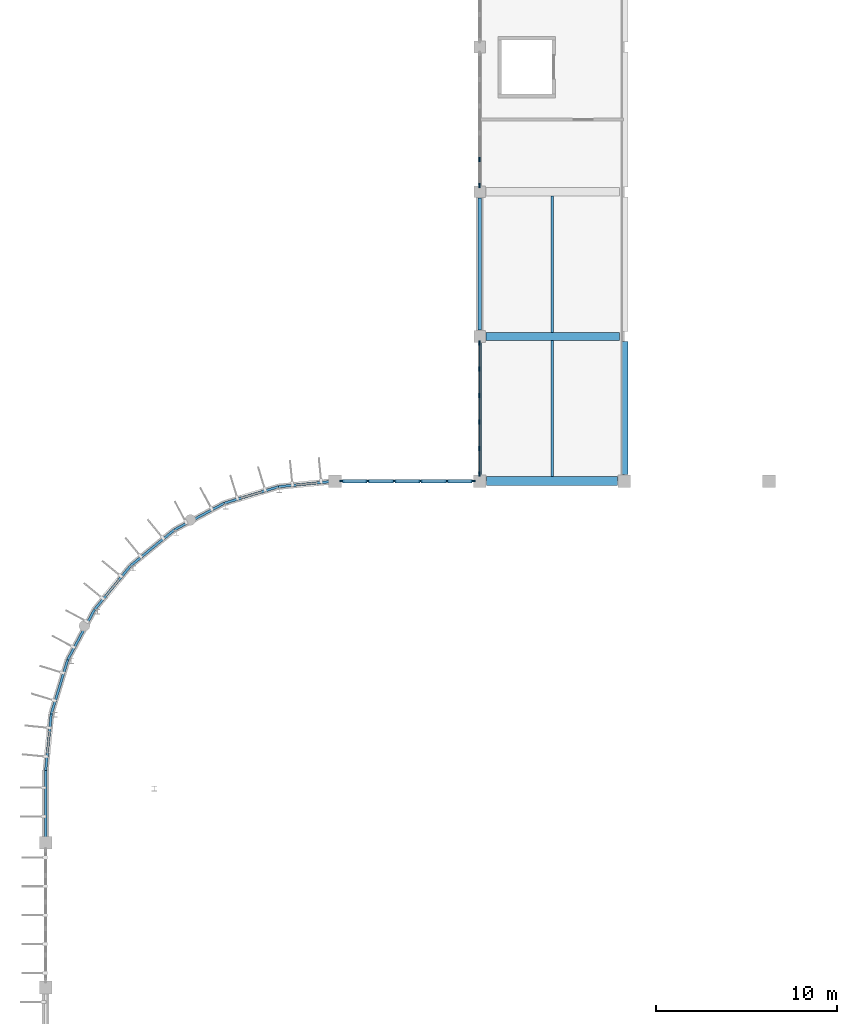
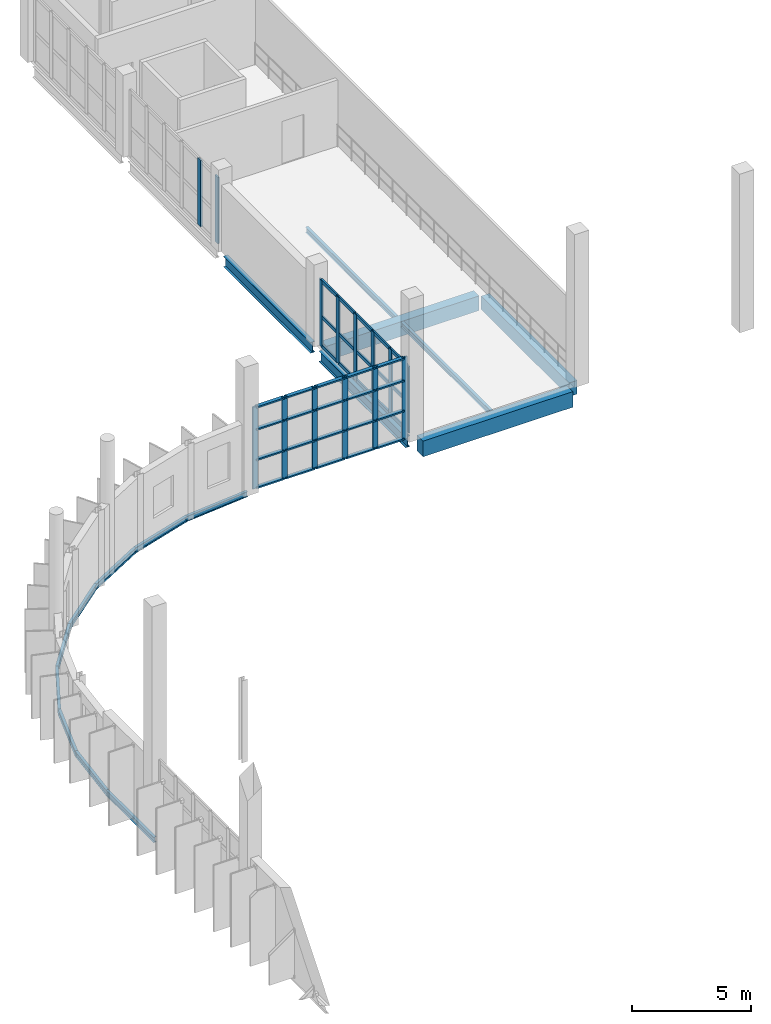
# One storey, part 16 of 66: 49 members, 16 beams, 3 elements without a shape of their own.
"""IFC4 building model written with IfcOpenShell, lengths in metres."""

from ifc_helpers import new_model, si_unit, direction, frame, origin, origin_2d, place, context, subcontext, project, spatial, rectangle, i_section, extrude, material, layer, layer_set, material_profile, profile_set, type_object, element, aggregate, save


model = new_model("IFC4")

# Units and contexts
model_context = context("Model", 3, precision=1e-05, world=origin(), true_north=direction((0.0, 1.0)))
body_context = subcontext(model_context, "Body", "Model", "MODEL_VIEW")
ifc_project = project(units=[si_unit("LENGTHUNIT", "METRE"), si_unit("AREAUNIT", "SQUARE_METRE"), si_unit("VOLUMEUNIT", "CUBIC_METRE"), si_unit("PLANEANGLEUNIT", "RADIAN"), si_unit("MASSUNIT", "GRAM", prefix="KILO")], contexts=[model_context])

# Site, building, storey
site_placement = place(None, origin())
site = spatial("IfcSite", under=ifc_project, at=site_placement, CompositionType="ELEMENT")
building_placement = place(site_placement, origin())
building = spatial("IfcBuilding", under=site, at=building_placement, Name="Drelvana Railside Aquatics Centre", CompositionType="ELEMENT")
storey_placement = place(building_placement, frame((0.0, 0.0, 10.199951171875)))
storey = spatial("IfcBuildingStorey", under=building, at=storey_placement, Name="L02", CompositionType="ELEMENT", Elevation=10.199951171875)

# Curtain wall, members
ifc_material_1 = material(Name="Bronze-anodised aluminium curtain wall", Category="aluminium")
ifc_layer = layer(ifc_material_1, 0.219970703125, Name="Bronze-anodised aluminium curtain wall")
ifc_layer_set = layer_set([ifc_layer], Name="Bronze-anodised aluminium curtain wall")
curtain_wall_type = type_object("IfcCurtainWallType", Name="CW-Z3-HIGH", PredefinedType="NOTDEFINED", material=ifc_layer_set)
curtain_wall_1_placement = place(storey_placement, origin())
curtain_wall_1 = element("IfcCurtainWall", 1, at=curtain_wall_1_placement, inside=storey, type_object=curtain_wall_type, Name="Curtain wall CW-03-019", PredefinedType="NOTDEFINED")
ifc_material_2 = material(Name="Bronze-anodised aluminium 6063-T6", Category="aluminium")
ifc_material_profile_1 = material_profile(ifc_material_2, rectangle(XDim=0.080078125, YDim=0.25, at=origin_2d()), Name="ALU-M 80x250")
ifc_profile_set_1 = profile_set([ifc_material_profile_1], Name="Bronze-anodised aluminium 6063-T6")
member_type_1 = type_object("IfcMemberType", Name="CW-Z3-HIGH-MUL", PredefinedType="MULLION", material=ifc_profile_set_1)
member_1_placement = place(storey_placement, frame((16.384033203125, 84.0, -0.005859375), z_axis=(0.0, 0.0, 1.0), x_axis=(0.0, 1.0, 0.0)))
member_1 = element("IfcMember", 2, at=member_1_placement, type_object=member_type_1, Name="CW-03 mullion 1", PredefinedType="MULLION", context=body_context, shape_type="SweptSolid", body=[
    extrude(rectangle(XDim=0.080078125, YDim=0.25, at=origin_2d()), origin(), (0.0, 0.0, 1.0), 4.19580078125),
])
member_2_placement = place(storey_placement, frame((17.806396484375, 84.0, -0.005859375), z_axis=(0.0, 0.0, 1.0), x_axis=(0.0, 1.0, 0.0)))
member_2 = element("IfcMember", 3, at=member_2_placement, type_object=member_type_1, Name="CW-03 mullion 2", PredefinedType="MULLION", context=body_context, shape_type="SweptSolid", body=[
    extrude(rectangle(XDim=0.080078125, YDim=0.25, at=origin_2d()), origin(), (0.0, 0.0, 1.0), 4.19580078125),
])
member_3_placement = place(storey_placement, frame((19.268798828125, 84.0, -0.005859375), z_axis=(0.0, 0.0, 1.0), x_axis=(0.0, 1.0, 0.0)))
member_3 = element("IfcMember", 4, at=member_3_placement, type_object=member_type_1, Name="CW-03 mullion 3", PredefinedType="MULLION", context=body_context, shape_type="SweptSolid", body=[
    extrude(rectangle(XDim=0.080078125, YDim=0.25, at=origin_2d()), origin(), (0.0, 0.0, 1.0), 4.19580078125),
])
member_4_placement = place(storey_placement, frame((20.731201171875, 84.0, -0.005859375), z_axis=(0.0, 0.0, 1.0), x_axis=(0.0, 1.0, 0.0)))
member_4 = element("IfcMember", 5, at=member_4_placement, type_object=member_type_1, Name="CW-03 mullion 4", PredefinedType="MULLION", context=body_context, shape_type="SweptSolid", body=[
    extrude(rectangle(XDim=0.080078125, YDim=0.25, at=origin_2d()), origin(), (0.0, 0.0, 1.0), 4.19580078125),
])
member_5_placement = place(storey_placement, frame((22.193603515625, 84.0, -0.005859375), z_axis=(0.0, 0.0, 1.0), x_axis=(0.0, 1.0, 0.0)))
member_5 = element("IfcMember", 6, at=member_5_placement, type_object=member_type_1, Name="CW-03 mullion 5", PredefinedType="MULLION", context=body_context, shape_type="SweptSolid", body=[
    extrude(rectangle(XDim=0.080078125, YDim=0.25, at=origin_2d()), origin(), (0.0, 0.0, 1.0), 4.19580078125),
])
member_6_placement = place(storey_placement, frame((23.615966796875, 84.0, -0.005859375), z_axis=(0.0, 0.0, 1.0), x_axis=(0.0, 1.0, 0.0)))
member_6 = element("IfcMember", 7, at=member_6_placement, type_object=member_type_1, Name="CW-03 mullion 6", PredefinedType="MULLION", context=body_context, shape_type="SweptSolid", body=[
    extrude(rectangle(XDim=0.080078125, YDim=0.25, at=origin_2d()), origin(), (0.0, 0.0, 1.0), 4.19580078125),
])

curtain_wall_2_placement = place(storey_placement, origin())
curtain_wall_2 = element("IfcCurtainWall", 8, at=curtain_wall_2_placement, inside=storey, type_object=curtain_wall_type, Name="Curtain wall CW-03-083", PredefinedType="NOTDEFINED")
member_7_placement = place(storey_placement, frame((24.0, 84.384033203125, -0.005859375), z_axis=(0.0, 0.0, 1.0), x_axis=(-1.0, 0.0, 0.0)))
member_7 = element("IfcMember", 9, at=member_7_placement, type_object=member_type_1, Name="CW-03 mullion 1", PredefinedType="MULLION", context=body_context, shape_type="SweptSolid", body=[
    extrude(rectangle(XDim=0.080078125, YDim=0.25, at=origin_2d()), origin(), (0.0, 0.0, 1.0), 3.39599609375),
])
member_8_placement = place(storey_placement, frame((24.0, 85.811279296875, -0.005859375), z_axis=(0.0, 0.0, 1.0), x_axis=(-1.0, 0.0, 0.0)))
member_8 = element("IfcMember", 10, at=member_8_placement, type_object=member_type_1, Name="CW-03 mullion 2", PredefinedType="MULLION", context=body_context, shape_type="SweptSolid", body=[
    extrude(rectangle(XDim=0.080078125, YDim=0.25, at=origin_2d()), origin(), (0.0, 0.0, 1.0), 3.39599609375),
])
member_9_placement = place(storey_placement, frame((24.0, 87.27880859375, -0.005859375), z_axis=(0.0, 0.0, 1.0), x_axis=(-1.0, 0.0, 0.0)))
member_9 = element("IfcMember", 11, at=member_9_placement, type_object=member_type_1, Name="CW-03 mullion 3", PredefinedType="MULLION", context=body_context, shape_type="SweptSolid", body=[
    extrude(rectangle(XDim=0.080078125, YDim=0.25, at=origin_2d()), origin(), (0.0, 0.0, 1.0), 3.39599609375),
])
member_10_placement = place(storey_placement, frame((24.0, 88.74609375, -0.005859375), z_axis=(0.0, 0.0, 1.0), x_axis=(-1.0, 0.0, 0.0)))
member_10 = element("IfcMember", 12, at=member_10_placement, type_object=member_type_1, Name="CW-03 mullion 4", PredefinedType="MULLION", context=body_context, shape_type="SweptSolid", body=[
    extrude(rectangle(XDim=0.080078125, YDim=0.25, at=origin_2d()), origin(), (0.0, 0.0, 1.0), 3.39599609375),
])
member_11_placement = place(storey_placement, frame((24.0, 90.213623046875, -0.005859375), z_axis=(0.0, 0.0, 1.0), x_axis=(-1.0, 0.0, 0.0)))
member_11 = element("IfcMember", 13, at=member_11_placement, type_object=member_type_1, Name="CW-03 mullion 5", PredefinedType="MULLION", context=body_context, shape_type="SweptSolid", body=[
    extrude(rectangle(XDim=0.080078125, YDim=0.25, at=origin_2d()), origin(), (0.0, 0.0, 1.0), 3.39599609375),
])
member_12_placement = place(storey_placement, frame((24.0, 91.64111328125, -0.005859375), z_axis=(0.0, 0.0, 1.0), x_axis=(-1.0, 0.0, 0.0)))
member_12 = element("IfcMember", 14, at=member_12_placement, type_object=member_type_1, Name="CW-03 mullion 6", PredefinedType="MULLION", context=body_context, shape_type="SweptSolid", body=[
    extrude(rectangle(XDim=0.080078125, YDim=0.25, at=origin_2d()), origin(), (0.0, 0.0, 1.0), 3.39599609375),
])

curtain_wall_3_placement = place(storey_placement, origin())
curtain_wall_3 = element("IfcCurtainWall", 15, at=curtain_wall_3_placement, inside=storey, type_object=curtain_wall_type, Name="Curtain wall CW-03-086", PredefinedType="NOTDEFINED")
member_13_placement = place(storey_placement, frame((24.0, 100.35888671875, -0.005859375), z_axis=(0.0, 0.0, 1.0), x_axis=(-1.0, 0.0, 0.0)))
member_13 = element("IfcMember", 16, at=member_13_placement, type_object=member_type_1, Name="CW-03 mullion 1", PredefinedType="MULLION", context=body_context, shape_type="SweptSolid", body=[
    extrude(rectangle(XDim=0.080078125, YDim=0.25, at=origin_2d()), origin(), (0.0, 0.0, 1.0), 3.39599609375),
])
member_14_placement = place(storey_placement, frame((24.0, 101.79150390625, -0.005859375), z_axis=(0.0, 0.0, 1.0), x_axis=(-1.0, 0.0, 0.0)))
member_14 = element("IfcMember", 17, at=member_14_placement, type_object=member_type_1, Name="CW-03 mullion 2", PredefinedType="MULLION", context=body_context, shape_type="SweptSolid", body=[
    extrude(rectangle(XDim=0.080078125, YDim=0.25, at=origin_2d()), origin(), (0.0, 0.0, 1.0), 3.39599609375),
])
aggregate(curtain_wall_3, [member_13, member_14])

# Member
ifc_material_profile_2 = material_profile(ifc_material_2, rectangle(XDim=0.179931640625, YDim=0.074951171875, at=origin_2d()), Name="ALU-T 75x180")
ifc_profile_set_2 = profile_set([ifc_material_profile_2], Name="Bronze-anodised aluminium 6063-T6")
member_type_2 = type_object("IfcMemberType", Name="CW-Z3-HIGH-TRN", PredefinedType="USERDEFINED", material=ifc_profile_set_2)
member_15_placement = place(storey_placement, frame((16.4189453125, 84.0, 0.031494140625), z_axis=(1.0, 0.0, 0.0), x_axis=(0.0, 1.0, 0.0)))
member_15 = element("IfcMember", 18, at=member_15_placement, type_object=member_type_2, Name="CW-03 transom 1.1", ObjectType="TRANSOM", PredefinedType="USERDEFINED", context=body_context, shape_type="SweptSolid", body=[
    extrude(rectangle(XDim=0.179931640625, YDim=0.074951171875, at=origin_2d()), origin(), (0.0, 0.0, 1.0), 1.3525390625),
])

member_16_placement = place(storey_placement, frame((16.4189453125, 84.0, 1.463134765625), z_axis=(1.0, 0.0, 0.0), x_axis=(0.0, 1.0, 0.0)))
member_16 = element("IfcMember", 19, at=member_16_placement, type_object=member_type_2, Name="CW-03 transom 1.2", ObjectType="TRANSOM", PredefinedType="USERDEFINED", context=body_context, shape_type="SweptSolid", body=[
    extrude(rectangle(XDim=0.179931640625, YDim=0.074951171875, at=origin_2d()), origin(), (0.0, 0.0, 1.0), 1.3525390625),
])

member_17_placement = place(storey_placement, frame((16.4189453125, 84.0, 3.01513671875), z_axis=(1.0, 0.0, 0.0), x_axis=(0.0, 1.0, 0.0)))
member_17 = element("IfcMember", 20, at=member_17_placement, type_object=member_type_2, Name="CW-03 transom 1.3", ObjectType="TRANSOM", PredefinedType="USERDEFINED", context=body_context, shape_type="SweptSolid", body=[
    extrude(rectangle(XDim=0.179931640625, YDim=0.074951171875, at=origin_2d()), origin(), (0.0, 0.0, 1.0), 1.3525390625),
])

member_18_placement = place(storey_placement, frame((16.4189453125, 84.0, 4.152587890625), z_axis=(1.0, 0.0, 0.0), x_axis=(0.0, 1.0, 0.0)))
member_18 = element("IfcMember", 21, at=member_18_placement, type_object=member_type_2, Name="CW-03 transom 1.4", ObjectType="TRANSOM", PredefinedType="USERDEFINED", context=body_context, shape_type="SweptSolid", body=[
    extrude(rectangle(XDim=0.179931640625, YDim=0.074951171875, at=origin_2d()), origin(), (0.0, 0.0, 1.0), 1.3525390625),
])

member_19_placement = place(storey_placement, frame((17.84130859375, 84.0, 0.031494140625), z_axis=(1.0, 0.0, 0.0), x_axis=(0.0, 1.0, 0.0)))
member_19 = element("IfcMember", 22, at=member_19_placement, type_object=member_type_2, Name="CW-03 transom 2.1", ObjectType="TRANSOM", PredefinedType="USERDEFINED", context=body_context, shape_type="SweptSolid", body=[
    extrude(rectangle(XDim=0.179931640625, YDim=0.074951171875, at=origin_2d()), origin(), (0.0, 0.0, 1.0), 1.392578125),
])

member_20_placement = place(storey_placement, frame((17.84130859375, 84.0, 1.463134765625), z_axis=(1.0, 0.0, 0.0), x_axis=(0.0, 1.0, 0.0)))
member_20 = element("IfcMember", 23, at=member_20_placement, type_object=member_type_2, Name="CW-03 transom 2.2", ObjectType="TRANSOM", PredefinedType="USERDEFINED", context=body_context, shape_type="SweptSolid", body=[
    extrude(rectangle(XDim=0.179931640625, YDim=0.074951171875, at=origin_2d()), origin(), (0.0, 0.0, 1.0), 1.392578125),
])

member_21_placement = place(storey_placement, frame((17.84130859375, 84.0, 3.01513671875), z_axis=(1.0, 0.0, 0.0), x_axis=(0.0, 1.0, 0.0)))
member_21 = element("IfcMember", 24, at=member_21_placement, type_object=member_type_2, Name="CW-03 transom 2.3", ObjectType="TRANSOM", PredefinedType="USERDEFINED", context=body_context, shape_type="SweptSolid", body=[
    extrude(rectangle(XDim=0.179931640625, YDim=0.074951171875, at=origin_2d()), origin(), (0.0, 0.0, 1.0), 1.392578125),
])

member_22_placement = place(storey_placement, frame((17.84130859375, 84.0, 4.152587890625), z_axis=(1.0, 0.0, 0.0), x_axis=(0.0, 1.0, 0.0)))
member_22 = element("IfcMember", 25, at=member_22_placement, type_object=member_type_2, Name="CW-03 transom 2.4", ObjectType="TRANSOM", PredefinedType="USERDEFINED", context=body_context, shape_type="SweptSolid", body=[
    extrude(rectangle(XDim=0.179931640625, YDim=0.074951171875, at=origin_2d()), origin(), (0.0, 0.0, 1.0), 1.392578125),
])

member_23_placement = place(storey_placement, frame((19.3037109375, 84.0, 0.031494140625), z_axis=(1.0, 0.0, 0.0), x_axis=(0.0, 1.0, 0.0)))
member_23 = element("IfcMember", 26, at=member_23_placement, type_object=member_type_2, Name="CW-03 transom 3.1", ObjectType="TRANSOM", PredefinedType="USERDEFINED", context=body_context, shape_type="SweptSolid", body=[
    extrude(rectangle(XDim=0.179931640625, YDim=0.074951171875, at=origin_2d()), origin(), (0.0, 0.0, 1.0), 1.392578125),
])

member_24_placement = place(storey_placement, frame((19.3037109375, 84.0, 1.463134765625), z_axis=(1.0, 0.0, 0.0), x_axis=(0.0, 1.0, 0.0)))
member_24 = element("IfcMember", 27, at=member_24_placement, type_object=member_type_2, Name="CW-03 transom 3.2", ObjectType="TRANSOM", PredefinedType="USERDEFINED", context=body_context, shape_type="SweptSolid", body=[
    extrude(rectangle(XDim=0.179931640625, YDim=0.074951171875, at=origin_2d()), origin(), (0.0, 0.0, 1.0), 1.392578125),
])

member_25_placement = place(storey_placement, frame((19.3037109375, 84.0, 3.01513671875), z_axis=(1.0, 0.0, 0.0), x_axis=(0.0, 1.0, 0.0)))
member_25 = element("IfcMember", 28, at=member_25_placement, type_object=member_type_2, Name="CW-03 transom 3.3", ObjectType="TRANSOM", PredefinedType="USERDEFINED", context=body_context, shape_type="SweptSolid", body=[
    extrude(rectangle(XDim=0.179931640625, YDim=0.074951171875, at=origin_2d()), origin(), (0.0, 0.0, 1.0), 1.392578125),
])

member_26_placement = place(storey_placement, frame((19.3037109375, 84.0, 4.152587890625), z_axis=(1.0, 0.0, 0.0), x_axis=(0.0, 1.0, 0.0)))
member_26 = element("IfcMember", 29, at=member_26_placement, type_object=member_type_2, Name="CW-03 transom 3.4", ObjectType="TRANSOM", PredefinedType="USERDEFINED", context=body_context, shape_type="SweptSolid", body=[
    extrude(rectangle(XDim=0.179931640625, YDim=0.074951171875, at=origin_2d()), origin(), (0.0, 0.0, 1.0), 1.392578125),
])

member_27_placement = place(storey_placement, frame((20.76611328125, 84.0, 0.031494140625), z_axis=(1.0, 0.0, 0.0), x_axis=(0.0, 1.0, 0.0)))
member_27 = element("IfcMember", 30, at=member_27_placement, type_object=member_type_2, Name="CW-03 transom 4.1", ObjectType="TRANSOM", PredefinedType="USERDEFINED", context=body_context, shape_type="SweptSolid", body=[
    extrude(rectangle(XDim=0.179931640625, YDim=0.074951171875, at=origin_2d()), origin(), (0.0, 0.0, 1.0), 1.392578125),
])

member_28_placement = place(storey_placement, frame((20.76611328125, 84.0, 1.463134765625), z_axis=(1.0, 0.0, 0.0), x_axis=(0.0, 1.0, 0.0)))
member_28 = element("IfcMember", 31, at=member_28_placement, type_object=member_type_2, Name="CW-03 transom 4.2", ObjectType="TRANSOM", PredefinedType="USERDEFINED", context=body_context, shape_type="SweptSolid", body=[
    extrude(rectangle(XDim=0.179931640625, YDim=0.074951171875, at=origin_2d()), origin(), (0.0, 0.0, 1.0), 1.392578125),
])

member_29_placement = place(storey_placement, frame((20.76611328125, 84.0, 3.01513671875), z_axis=(1.0, 0.0, 0.0), x_axis=(0.0, 1.0, 0.0)))
member_29 = element("IfcMember", 32, at=member_29_placement, type_object=member_type_2, Name="CW-03 transom 4.3", ObjectType="TRANSOM", PredefinedType="USERDEFINED", context=body_context, shape_type="SweptSolid", body=[
    extrude(rectangle(XDim=0.179931640625, YDim=0.074951171875, at=origin_2d()), origin(), (0.0, 0.0, 1.0), 1.392578125),
])

member_30_placement = place(storey_placement, frame((20.76611328125, 84.0, 4.152587890625), z_axis=(1.0, 0.0, 0.0), x_axis=(0.0, 1.0, 0.0)))
member_30 = element("IfcMember", 33, at=member_30_placement, type_object=member_type_2, Name="CW-03 transom 4.4", ObjectType="TRANSOM", PredefinedType="USERDEFINED", context=body_context, shape_type="SweptSolid", body=[
    extrude(rectangle(XDim=0.179931640625, YDim=0.074951171875, at=origin_2d()), origin(), (0.0, 0.0, 1.0), 1.392578125),
])

member_31_placement = place(storey_placement, frame((22.228515625, 84.0, 0.031494140625), z_axis=(1.0, 0.0, 0.0), x_axis=(0.0, 1.0, 0.0)))
member_31 = element("IfcMember", 34, at=member_31_placement, type_object=member_type_2, Name="CW-03 transom 5.1", ObjectType="TRANSOM", PredefinedType="USERDEFINED", context=body_context, shape_type="SweptSolid", body=[
    extrude(rectangle(XDim=0.179931640625, YDim=0.074951171875, at=origin_2d()), origin(), (0.0, 0.0, 1.0), 1.3525390625),
])

member_32_placement = place(storey_placement, frame((22.228515625, 84.0, 1.463134765625), z_axis=(1.0, 0.0, 0.0), x_axis=(0.0, 1.0, 0.0)))
member_32 = element("IfcMember", 35, at=member_32_placement, type_object=member_type_2, Name="CW-03 transom 5.2", ObjectType="TRANSOM", PredefinedType="USERDEFINED", context=body_context, shape_type="SweptSolid", body=[
    extrude(rectangle(XDim=0.179931640625, YDim=0.074951171875, at=origin_2d()), origin(), (0.0, 0.0, 1.0), 1.3525390625),
])

member_33_placement = place(storey_placement, frame((22.228515625, 84.0, 3.01513671875), z_axis=(1.0, 0.0, 0.0), x_axis=(0.0, 1.0, 0.0)))
member_33 = element("IfcMember", 36, at=member_33_placement, type_object=member_type_2, Name="CW-03 transom 5.3", ObjectType="TRANSOM", PredefinedType="USERDEFINED", context=body_context, shape_type="SweptSolid", body=[
    extrude(rectangle(XDim=0.179931640625, YDim=0.074951171875, at=origin_2d()), origin(), (0.0, 0.0, 1.0), 1.3525390625),
])

member_34_placement = place(storey_placement, frame((22.228515625, 84.0, 4.152587890625), z_axis=(1.0, 0.0, 0.0), x_axis=(0.0, 1.0, 0.0)))
member_34 = element("IfcMember", 37, at=member_34_placement, type_object=member_type_2, Name="CW-03 transom 5.4", ObjectType="TRANSOM", PredefinedType="USERDEFINED", context=body_context, shape_type="SweptSolid", body=[
    extrude(rectangle(XDim=0.179931640625, YDim=0.074951171875, at=origin_2d()), origin(), (0.0, 0.0, 1.0), 1.3525390625),
])

aggregate(curtain_wall_1, [member_1, member_2, member_3, member_4, member_5, member_6, member_15, member_16, member_17, member_18, member_19, member_20, member_21, member_22, member_23, member_24, member_25, member_26, member_27, member_28, member_29, member_30, member_31, member_32, member_33, member_34])

member_35_placement = place(storey_placement, frame((24.0, 84.4189453125, 0.031494140625), z_axis=(0.0, 1.0, 0.0), x_axis=(0.0, 0.0, 1.0)))
member_35 = element("IfcMember", 38, at=member_35_placement, type_object=member_type_2, Name="CW-03 transom 1.1", ObjectType="TRANSOM", PredefinedType="USERDEFINED", context=body_context, shape_type="SweptSolid", body=[
    extrude(rectangle(XDim=0.179931640625, YDim=0.074951171875, at=origin_2d()), origin(), (0.0, 0.0, 1.0), 1.357421875),
])

member_36_placement = place(storey_placement, frame((24.0, 84.4189453125, 1.52197265625), z_axis=(0.0, 1.0, 0.0), x_axis=(0.0, 0.0, 1.0)))
member_36 = element("IfcMember", 39, at=member_36_placement, type_object=member_type_2, Name="CW-03 transom 1.2", ObjectType="TRANSOM", PredefinedType="USERDEFINED", context=body_context, shape_type="SweptSolid", body=[
    extrude(rectangle(XDim=0.179931640625, YDim=0.074951171875, at=origin_2d()), origin(), (0.0, 0.0, 1.0), 1.357421875),
])

member_37_placement = place(storey_placement, frame((24.0, 84.4189453125, 3.3525390625), z_axis=(0.0, 1.0, 0.0), x_axis=(0.0, 0.0, 1.0)))
member_37 = element("IfcMember", 40, at=member_37_placement, type_object=member_type_2, Name="CW-03 transom 1.3", ObjectType="TRANSOM", PredefinedType="USERDEFINED", context=body_context, shape_type="SweptSolid", body=[
    extrude(rectangle(XDim=0.179931640625, YDim=0.074951171875, at=origin_2d()), origin(), (0.0, 0.0, 1.0), 1.357421875),
])

member_38_placement = place(storey_placement, frame((24.0, 85.846435546875, 0.031494140625), z_axis=(0.0, 1.0, 0.0), x_axis=(0.0, 0.0, 1.0)))
member_38 = element("IfcMember", 41, at=member_38_placement, type_object=member_type_2, Name="CW-03 transom 2.1", ObjectType="TRANSOM", PredefinedType="USERDEFINED", context=body_context, shape_type="SweptSolid", body=[
    extrude(rectangle(XDim=0.179931640625, YDim=0.074951171875, at=origin_2d()), origin(), (0.0, 0.0, 1.0), 1.3974609375),
])

member_39_placement = place(storey_placement, frame((24.0, 85.846435546875, 1.52197265625), z_axis=(0.0, 1.0, 0.0), x_axis=(0.0, 0.0, 1.0)))
member_39 = element("IfcMember", 42, at=member_39_placement, type_object=member_type_2, Name="CW-03 transom 2.2", ObjectType="TRANSOM", PredefinedType="USERDEFINED", context=body_context, shape_type="SweptSolid", body=[
    extrude(rectangle(XDim=0.179931640625, YDim=0.074951171875, at=origin_2d()), origin(), (0.0, 0.0, 1.0), 1.3974609375),
])

member_40_placement = place(storey_placement, frame((24.0, 85.846435546875, 3.3525390625), z_axis=(0.0, 1.0, 0.0), x_axis=(0.0, 0.0, 1.0)))
member_40 = element("IfcMember", 43, at=member_40_placement, type_object=member_type_2, Name="CW-03 transom 2.3", ObjectType="TRANSOM", PredefinedType="USERDEFINED", context=body_context, shape_type="SweptSolid", body=[
    extrude(rectangle(XDim=0.179931640625, YDim=0.074951171875, at=origin_2d()), origin(), (0.0, 0.0, 1.0), 1.3974609375),
])

member_41_placement = place(storey_placement, frame((24.0, 87.313720703125, 0.031494140625), z_axis=(0.0, 1.0, 0.0), x_axis=(0.0, 0.0, 1.0)))
member_41 = element("IfcMember", 44, at=member_41_placement, type_object=member_type_2, Name="CW-03 transom 3.1", ObjectType="TRANSOM", PredefinedType="USERDEFINED", context=body_context, shape_type="SweptSolid", body=[
    extrude(rectangle(XDim=0.179931640625, YDim=0.074951171875, at=origin_2d()), origin(), (0.0, 0.0, 1.0), 1.3974609375),
])

member_42_placement = place(storey_placement, frame((24.0, 87.313720703125, 1.52197265625), z_axis=(0.0, 1.0, 0.0), x_axis=(0.0, 0.0, 1.0)))
member_42 = element("IfcMember", 45, at=member_42_placement, type_object=member_type_2, Name="CW-03 transom 3.2", ObjectType="TRANSOM", PredefinedType="USERDEFINED", context=body_context, shape_type="SweptSolid", body=[
    extrude(rectangle(XDim=0.179931640625, YDim=0.074951171875, at=origin_2d()), origin(), (0.0, 0.0, 1.0), 1.3974609375),
])

member_43_placement = place(storey_placement, frame((24.0, 87.313720703125, 3.3525390625), z_axis=(0.0, 1.0, 0.0), x_axis=(0.0, 0.0, 1.0)))
member_43 = element("IfcMember", 46, at=member_43_placement, type_object=member_type_2, Name="CW-03 transom 3.3", ObjectType="TRANSOM", PredefinedType="USERDEFINED", context=body_context, shape_type="SweptSolid", body=[
    extrude(rectangle(XDim=0.179931640625, YDim=0.074951171875, at=origin_2d()), origin(), (0.0, 0.0, 1.0), 1.3974609375),
])

member_44_placement = place(storey_placement, frame((24.0, 88.78125, 0.031494140625), z_axis=(0.0, 1.0, 0.0), x_axis=(0.0, 0.0, 1.0)))
member_44 = element("IfcMember", 47, at=member_44_placement, type_object=member_type_2, Name="CW-03 transom 4.1", ObjectType="TRANSOM", PredefinedType="USERDEFINED", context=body_context, shape_type="SweptSolid", body=[
    extrude(rectangle(XDim=0.179931640625, YDim=0.074951171875, at=origin_2d()), origin(), (0.0, 0.0, 1.0), 1.3974609375),
])

member_45_placement = place(storey_placement, frame((24.0, 88.78125, 1.52197265625), z_axis=(0.0, 1.0, 0.0), x_axis=(0.0, 0.0, 1.0)))
member_45 = element("IfcMember", 48, at=member_45_placement, type_object=member_type_2, Name="CW-03 transom 4.2", ObjectType="TRANSOM", PredefinedType="USERDEFINED", context=body_context, shape_type="SweptSolid", body=[
    extrude(rectangle(XDim=0.179931640625, YDim=0.074951171875, at=origin_2d()), origin(), (0.0, 0.0, 1.0), 1.3974609375),
])

member_46_placement = place(storey_placement, frame((24.0, 88.78125, 3.3525390625), z_axis=(0.0, 1.0, 0.0), x_axis=(0.0, 0.0, 1.0)))
member_46 = element("IfcMember", 49, at=member_46_placement, type_object=member_type_2, Name="CW-03 transom 4.3", ObjectType="TRANSOM", PredefinedType="USERDEFINED", context=body_context, shape_type="SweptSolid", body=[
    extrude(rectangle(XDim=0.179931640625, YDim=0.074951171875, at=origin_2d()), origin(), (0.0, 0.0, 1.0), 1.3974609375),
])

member_47_placement = place(storey_placement, frame((24.0, 90.24853515625, 0.031494140625), z_axis=(0.0, 1.0, 0.0), x_axis=(0.0, 0.0, 1.0)))
member_47 = element("IfcMember", 50, at=member_47_placement, type_object=member_type_2, Name="CW-03 transom 5.1", ObjectType="TRANSOM", PredefinedType="USERDEFINED", context=body_context, shape_type="SweptSolid", body=[
    extrude(rectangle(XDim=0.179931640625, YDim=0.074951171875, at=origin_2d()), origin(), (0.0, 0.0, 1.0), 1.357421875),
])

member_48_placement = place(storey_placement, frame((24.0, 90.24853515625, 1.52197265625), z_axis=(0.0, 1.0, 0.0), x_axis=(0.0, 0.0, 1.0)))
member_48 = element("IfcMember", 51, at=member_48_placement, type_object=member_type_2, Name="CW-03 transom 5.2", ObjectType="TRANSOM", PredefinedType="USERDEFINED", context=body_context, shape_type="SweptSolid", body=[
    extrude(rectangle(XDim=0.179931640625, YDim=0.074951171875, at=origin_2d()), origin(), (0.0, 0.0, 1.0), 1.357421875),
])

member_49_placement = place(storey_placement, frame((24.0, 90.24853515625, 3.3525390625), z_axis=(0.0, 1.0, 0.0), x_axis=(0.0, 0.0, 1.0)))
member_49 = element("IfcMember", 52, at=member_49_placement, type_object=member_type_2, Name="CW-03 transom 5.3", ObjectType="TRANSOM", PredefinedType="USERDEFINED", context=body_context, shape_type="SweptSolid", body=[
    extrude(rectangle(XDim=0.179931640625, YDim=0.074951171875, at=origin_2d()), origin(), (0.0, 0.0, 1.0), 1.357421875),
])

aggregate(curtain_wall_2, [member_7, member_8, member_9, member_10, member_11, member_12, member_35, member_36, member_37, member_38, member_39, member_40, member_41, member_42, member_43, member_44, member_45, member_46, member_47, member_48, member_49])

# Beams
ifc_material_3 = material(Name="Concrete C40/50", Category="concrete")
ifc_material_profile_3 = material_profile(ifc_material_3, rectangle(XDim=0.39990234375, YDim=0.699951171875, at=origin_2d()), Name="RC 400x700")
ifc_profile_set_3 = profile_set([ifc_material_profile_3], Name="Concrete C40/50")
beam_type_1 = type_object("IfcBeamType", Name="STR-BM-BM-03-RC-400x700", PredefinedType="BEAM", material=ifc_profile_set_3)
beam_1_placement = place(storey_placement, frame((32.0, 84.375, -0.599853515625), z_axis=(0.0, 1.0, 0.0), x_axis=(-1.0, 0.0, 0.0)))
element("IfcBeam", 53, at=beam_1_placement, inside=storey, type_object=beam_type_1, Name="Girder BM-03 (L02)", PredefinedType="BEAM", context=body_context, shape_type="SweptSolid", body=[
    extrude(rectangle(XDim=0.39990234375, YDim=0.699951171875, at=origin_2d()), origin(), (0.0, 0.0, 1.0), 7.35009765625),
])
ifc_material_profile_4 = material_profile(ifc_material_3, rectangle(XDim=0.449951171875, YDim=0.75, at=origin_2d()), Name="RC 450x750")
ifc_profile_set_4 = profile_set([ifc_material_profile_4], Name="Concrete C40/50")
beam_type_2 = type_object("IfcBeamType", Name="STR-BM-BM-04-RC-450x750", PredefinedType="BEAM", material=ifc_profile_set_4)
beam_2_placement = place(storey_placement, frame((24.35009765625, 92.0, -0.625), z_axis=(1.0, 0.0, 0.0), x_axis=(0.0, 1.0, 0.0)))
element("IfcBeam", 54, at=beam_2_placement, inside=storey, type_object=beam_type_2, Name="Girder BM-04 (L02)", PredefinedType="BEAM", context=body_context, shape_type="SweptSolid", body=[
    extrude(rectangle(XDim=0.449951171875, YDim=0.75, at=origin_2d()), origin(), (0.0, 0.0, 1.0), 7.375),
])
ifc_material_profile_5 = material_profile(ifc_material_3, rectangle(XDim=0.5, YDim=0.800048828125, at=origin_2d()), Name="RC 500x800")
ifc_profile_set_5 = profile_set([ifc_material_profile_5], Name="Concrete C40/50")
beam_type_3 = type_object("IfcBeamType", Name="STR-BM-BM-06-RC-500x800", PredefinedType="SPANDREL", material=ifc_profile_set_5)
beam_3_placement = place(storey_placement, frame((24.375, 84.0, -0.64990234375), z_axis=(1.0, 0.0, 0.0), x_axis=(0.0, 1.0, 0.0)))
element("IfcBeam", 55, at=beam_3_placement, inside=storey, type_object=beam_type_3, Name="Girder BM-06 (L02)", PredefinedType="SPANDREL", context=body_context, shape_type="SweptSolid", body=[
    extrude(rectangle(XDim=0.5, YDim=0.800048828125, at=origin_2d()), origin(), (0.0, 0.0, 1.0), 7.25),
])
ifc_material_4 = material(Name="Structural steel S355", Category="steel")
ifc_material_profile_6 = material_profile(ifc_material_4, i_section(OverallWidth=0.2099609375, OverallDepth=0.550048828125, WebThickness=0.010986328125, FlangeThickness=0.01708984375, at=origin_2d()), Name="IPE 550")
ifc_profile_set_6 = profile_set([ifc_material_profile_6], Name="Structural steel S355")
beam_type_4 = type_object("IfcBeamType", Name="STR-SBM-SB-04-IPE-550", PredefinedType="SPANDREL", material=ifc_profile_set_6)
beam_4_placement = place(storey_placement, frame((24.0, 84.375, -0.52490234375), z_axis=(0.0, 1.0, 0.0), x_axis=(-1.0, 0.0, 0.0)))
element("IfcBeam", 56, at=beam_4_placement, inside=storey, type_object=beam_type_4, Name="Girder SB-04 (L02)", PredefinedType="SPANDREL", context=body_context, shape_type="SweptSolid", body=[
    extrude(i_section(OverallWidth=0.2099609375, OverallDepth=0.550048828125, WebThickness=0.010986328125, FlangeThickness=0.01708984375, at=origin_2d()), origin(), (0.0, 0.0, 1.0), 7.27490234375),
])
beam_5_placement = place(storey_placement, frame((24.0, 92.35009765625, -0.52490234375), z_axis=(0.0, 1.0, 0.0), x_axis=(-1.0, 0.0, 0.0)))
element("IfcBeam", 57, at=beam_5_placement, inside=storey, type_object=beam_type_4, Name="Girder SB-04 (L02)", PredefinedType="SPANDREL", context=body_context, shape_type="SweptSolid", body=[
    extrude(i_section(OverallWidth=0.2099609375, OverallDepth=0.550048828125, WebThickness=0.010986328125, FlangeThickness=0.01708984375, at=origin_2d()), origin(), (0.0, 0.0, 1.0), 7.2998046875),
])
ifc_material_profile_7 = material_profile(ifc_material_4, i_section(OverallWidth=0.135009765625, OverallDepth=0.27001953125, WebThickness=0.006591796875, FlangeThickness=0.01025390625, at=origin_2d()), Name="IPE 270")
ifc_profile_set_7 = profile_set([ifc_material_profile_7], Name="Structural steel S355")
beam_type_5 = type_object("IfcBeamType", Name="STR-SBM-SJ-02-IPE-270", PredefinedType="JOIST", material=ifc_profile_set_7)
beam_6_placement = place(storey_placement, frame((28.0, 84.25, -0.385009765625), z_axis=(0.0, 1.0, 0.0), x_axis=(-1.0, 0.0, 0.0)))
element("IfcBeam", 58, at=beam_6_placement, inside=storey, type_object=beam_type_5, Name="Secondary floor joist SJ-02 (L02)", PredefinedType="JOIST", context=body_context, shape_type="SweptSolid", body=[
    extrude(i_section(OverallWidth=0.135009765625, OverallDepth=0.27001953125, WebThickness=0.006591796875, FlangeThickness=0.01025390625, at=origin_2d()), origin(), (0.0, 0.0, 1.0), 7.52490234375),
])
beam_7_placement = place(storey_placement, frame((28.0, 92.22509765625, -0.385009765625), z_axis=(0.0, 1.0, 0.0), x_axis=(-1.0, 0.0, 0.0)))
element("IfcBeam", 59, at=beam_7_placement, inside=storey, type_object=beam_type_5, Name="Secondary floor joist SJ-02 (L02)", PredefinedType="JOIST", context=body_context, shape_type="SweptSolid", body=[
    extrude(i_section(OverallWidth=0.135009765625, OverallDepth=0.27001953125, WebThickness=0.006591796875, FlangeThickness=0.01025390625, at=origin_2d()), origin(), (0.0, 0.0, 1.0), 7.5498046875),
])
beam_8_placement = place(storey_placement, frame((0.0, 64.0, -0.135009765625), z_axis=(0.0, 1.0, 0.0), x_axis=(-1.0, 0.0, 0.0)))
element("IfcBeam", 60, at=beam_8_placement, inside=storey, type_object=beam_type_5, Name="V1 West L02 masonry girt 64", PredefinedType="JOIST", context=body_context, shape_type="SweptSolid", body=[
    extrude(i_section(OverallWidth=0.135009765625, OverallDepth=0.27001953125, WebThickness=0.006591796875, FlangeThickness=0.01025390625, at=origin_2d()), origin(), (0.0, 0.0, 1.0), 4.0),
])
for number, where, z_axis, x_axis, name in (
    (61, (16.0, 84.0, -0.135009765625), (-0.995186340733, -0.098000751113, 0.0), (0.098000751113, -0.995186340733, 0.0), "V1NW L02 curved spandrel beam 1"),
    (62, (12.878662109375, 83.692626953125, -0.135009765625), (-0.956926153386, -0.290331426072, 0.0), (0.290331426072, -0.956926153386, 0.0), "V1NW L02 curved spandrel beam 2"),
):
    element("IfcBeam", number, at=place(storey_placement, frame(where, z_axis=z_axis, x_axis=x_axis)), inside=storey, type_object=beam_type_5, Name=name, PredefinedType="JOIST", context=body_context, shape_type="SweptSolid", body=[
        extrude(i_section(OverallWidth=0.135009765625, OverallDepth=0.27001953125, WebThickness=0.006591796875, FlangeThickness=0.01025390625, at=origin_2d()), origin(), (0.0, 0.0, 1.0), 3.136474609375),
    ])
beam_9_placement = place(storey_placement, frame((9.877197265625, 82.781982421875, -0.135009765625), z_axis=(-0.881938921093, -0.471363701892, 0.0), x_axis=(0.471363701892, -0.881938921093, 0.0)))
element("IfcBeam", 63, at=beam_9_placement, inside=storey, type_object=beam_type_5, Name="V1NW L02 curved spandrel beam 3", PredefinedType="JOIST", context=body_context, shape_type="SweptSolid", body=[
    extrude(i_section(OverallWidth=0.135009765625, OverallDepth=0.27001953125, WebThickness=0.006591796875, FlangeThickness=0.01025390625, at=origin_2d()), origin(), (0.0, 0.0, 1.0), 3.13671875),
])
for number, where, z_axis, x_axis, name in (
    (64, (7.11083984375, 81.303466796875, -0.135009765625), (-0.773016601683, -0.634385792339, 0.0), (0.634385792339, -0.773016601683, 0.0), "V1NW L02 curved spandrel beam 4"),
    (65, (4.686279296875, 79.313720703125, -0.135009765625), (-0.634385792339, -0.773016601683, 0.0), (0.773016601683, -0.634385792339, 0.0), "V1NW L02 curved spandrel beam 5"),
):
    element("IfcBeam", number, at=place(storey_placement, frame(where, z_axis=z_axis, x_axis=x_axis)), inside=storey, type_object=beam_type_5, Name=name, PredefinedType="JOIST", context=body_context, shape_type="SweptSolid", body=[
        extrude(i_section(OverallWidth=0.135009765625, OverallDepth=0.27001953125, WebThickness=0.006591796875, FlangeThickness=0.01025390625, at=origin_2d()), origin(), (0.0, 0.0, 1.0), 3.136474609375),
    ])
beam_10_placement = place(storey_placement, frame((2.696533203125, 76.88916015625, -0.135009765625), z_axis=(-0.471363701892, -0.881938921093, 0.0), x_axis=(0.881938921093, -0.471363701892, 0.0)))
element("IfcBeam", 66, at=beam_10_placement, inside=storey, type_object=beam_type_5, Name="V1NW L02 curved spandrel beam 6", PredefinedType="JOIST", context=body_context, shape_type="SweptSolid", body=[
    extrude(i_section(OverallWidth=0.135009765625, OverallDepth=0.27001953125, WebThickness=0.006591796875, FlangeThickness=0.01025390625, at=origin_2d()), origin(), (0.0, 0.0, 1.0), 3.13671875),
])
for number, where, z_axis, x_axis, name in (
    (67, (1.218017578125, 74.122802734375, -0.135009765625), (-0.290331426072, -0.956926153386, 0.0), (0.956926153386, -0.290331426072, 0.0), "V1NW L02 curved spandrel beam 7"),
    (68, (0.307373046875, 71.121337890625, -0.135009765625), (-0.098000751113, -0.995186340733, 0.0), (0.995186340733, -0.098000751113, 0.0), "V1NW L02 curved spandrel beam 8"),
):
    element("IfcBeam", number, at=place(storey_placement, frame(where, z_axis=z_axis, x_axis=x_axis)), inside=storey, type_object=beam_type_5, Name=name, PredefinedType="JOIST", context=body_context, shape_type="SweptSolid", body=[
        extrude(i_section(OverallWidth=0.135009765625, OverallDepth=0.27001953125, WebThickness=0.006591796875, FlangeThickness=0.01025390625, at=origin_2d()), origin(), (0.0, 0.0, 1.0), 3.136474609375),
    ])

save(model, "model.ifc")
